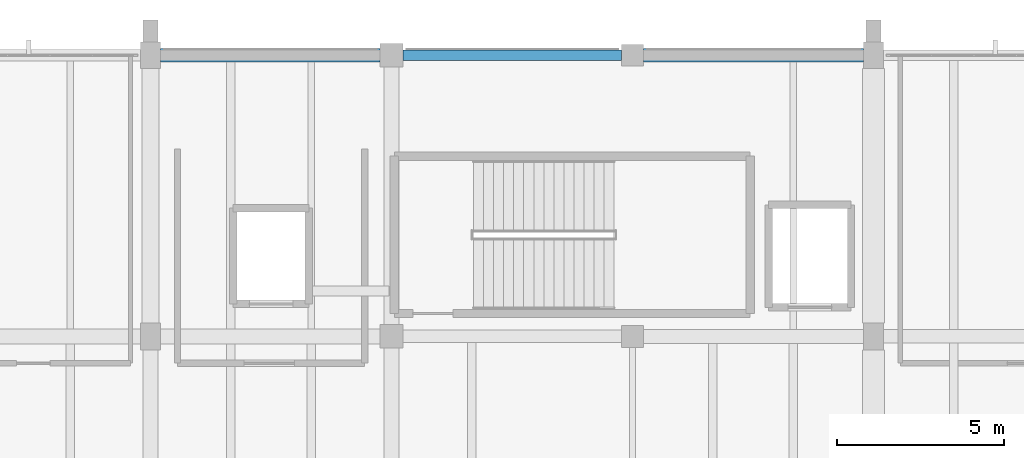
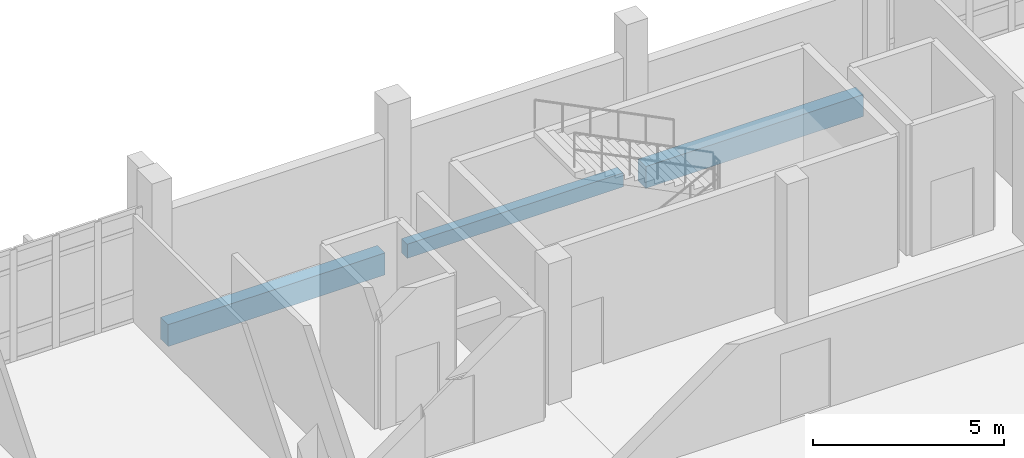
# One storey, part 31 of 57: 3 beams.
"""IFC4 building model written with IfcOpenShell, lengths in metres."""

from ifc_helpers import new_model, si_unit, direction, frame, origin, origin_2d, place, context, subcontext, project, spatial, rectangle, extrude, material, material_profile, profile_set, type_object, element, save


model = new_model("IFC4")

# Units and contexts
model_context = context("Model", 3, precision=1e-05, world=origin(), true_north=direction((0.0, 1.0)))
body_context = subcontext(model_context, "Body", "Model", "MODEL_VIEW")
ifc_project = project(units=[si_unit("LENGTHUNIT", "METRE"), si_unit("AREAUNIT", "SQUARE_METRE"), si_unit("VOLUMEUNIT", "CUBIC_METRE"), si_unit("PLANEANGLEUNIT", "RADIAN"), si_unit("MASSUNIT", "GRAM", prefix="KILO")], contexts=[model_context])

# Site, building, storey
site_placement = place(None, origin())
site = spatial("IfcSite", under=ifc_project, at=site_placement, CompositionType="ELEMENT")
building_placement = place(site_placement, origin())
building = spatial("IfcBuilding", under=site, at=building_placement, Name="Kalluvel Institute of Natural Sciences", CompositionType="ELEMENT")
storey_placement = place(building_placement, frame((0.0, 0.0, 23.39990234375)))
storey = spatial("IfcBuildingStorey", under=building, at=storey_placement, Name="L05", CompositionType="ELEMENT", Elevation=23.39990234375)

# Beams
ifc_material = material(Name="Concrete M40", Category="concrete")
ifc_material_profile_1 = material_profile(ifc_material, rectangle(XDim=0.300048828125, YDim=0.449951171875, at=origin_2d()), Name="RCB 300x450")
ifc_profile_set_1 = profile_set([ifc_material_profile_1], Name="Concrete M40")
beam_type_1 = type_object("IfcBeamType", Name="SP-RC300x450", PredefinedType="SPANDREL", material=ifc_profile_set_1)
beam_1_placement = place(storey_placement, frame((64.75, 128.0, -0.544921875), z_axis=(1.0, 0.0, 0.0), x_axis=(0.0, 1.0, 0.0)))
element("IfcBeam", 1, at=beam_1_placement, inside=storey, type_object=beam_type_1, Name="L05 girder GIR-L05-EW-X644-Y1280", PredefinedType="SPANDREL", context=body_context, shape_type="SweptSolid", body=[
    extrude(rectangle(XDim=0.300048828125, YDim=0.449951171875, at=origin_2d()), origin(), (0.0, 0.0, 1.0), 6.52490234375),
])
ifc_material_profile_2 = material_profile(ifc_material, rectangle(XDim=0.39990234375, YDim=0.699951171875, at=origin_2d()), Name="RCB 400x700")
ifc_profile_set_2 = profile_set([ifc_material_profile_2], Name="Concrete M40")
beam_type_2 = type_object("IfcBeamType", Name="SP-RC400x700", PredefinedType="SPANDREL", material=ifc_profile_set_2)
beam_2_placement = place(storey_placement, frame((57.5, 128.0, -0.669921875), z_axis=(1.0, 0.0, 0.0), x_axis=(0.0, 1.0, 0.0)))
element("IfcBeam", 2, at=beam_2_placement, inside=storey, type_object=beam_type_2, Name="L05 girder GIR-L05-EW-X572-Y1280", PredefinedType="SPANDREL", context=body_context, shape_type="SweptSolid", body=[
    extrude(rectangle(XDim=0.39990234375, YDim=0.699951171875, at=origin_2d()), origin(), (0.0, 0.0, 1.0), 6.550048828125),
])
beam_3_placement = place(storey_placement, frame((71.925048828125, 128.0, -0.669921875), z_axis=(1.0, 0.0, 0.0), x_axis=(0.0, 1.0, 0.0)))
element("IfcBeam", 3, at=beam_3_placement, inside=storey, type_object=beam_type_2, Name="L05 girder GIR-L05-EW-X716-Y1280", PredefinedType="SPANDREL", context=body_context, shape_type="SweptSolid", body=[
    extrude(rectangle(XDim=0.39990234375, YDim=0.699951171875, at=origin_2d()), origin(), (0.0, 0.0, 1.0), 6.574951171875),
])

save(model, "model.ifc")
